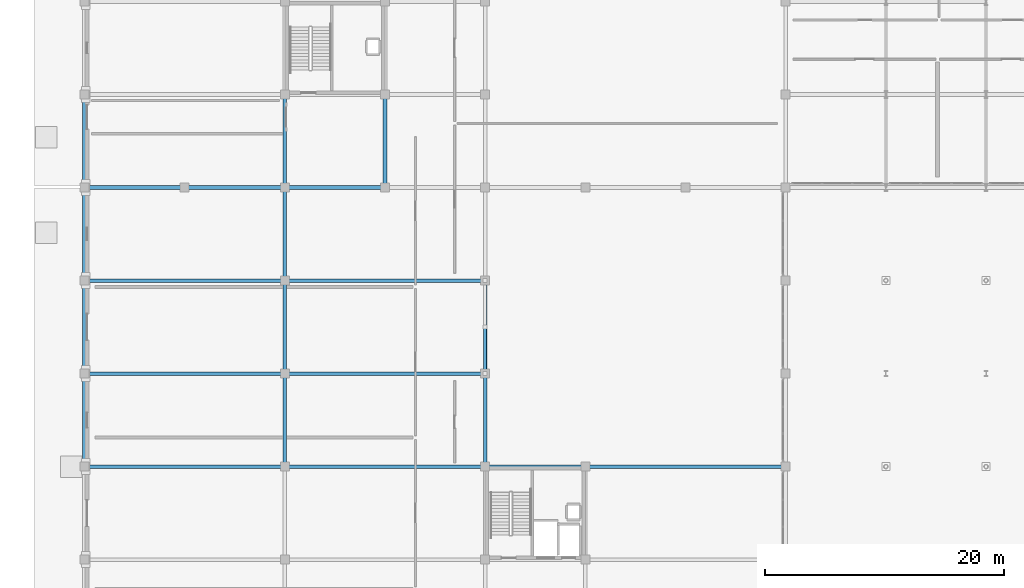
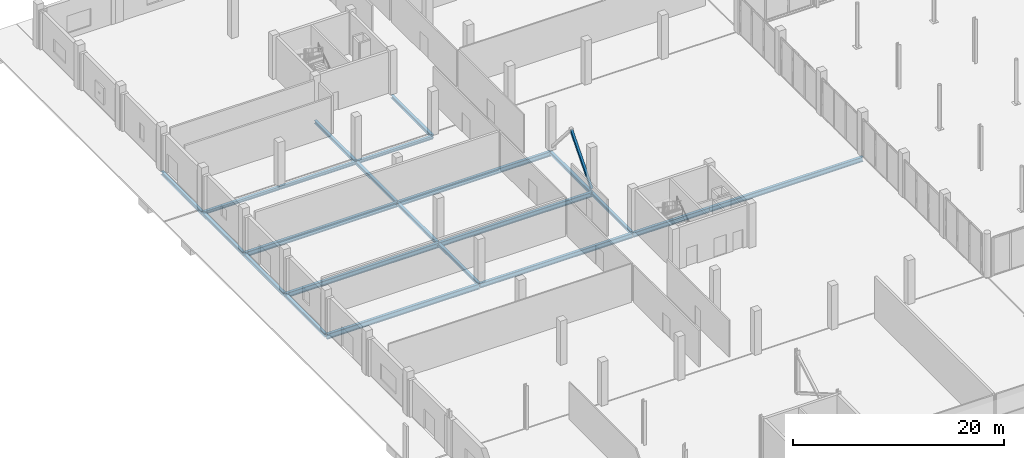
# One storey, part 26 of 80: 22 beams, 1 member.
"""IFC4 building model written with IfcOpenShell, lengths in metres."""

from ifc_helpers import new_model, si_unit, direction, frame, origin, origin_2d, place, context, subcontext, project, spatial, hollow_rectangle, i_section, extrude, material, material_profile, profile_set, type_object, element, save


model = new_model("IFC4")

# Units and contexts
model_context = context("Model", 3, precision=1e-05, world=origin(), true_north=direction((0.0, 1.0)))
body_context = subcontext(model_context, "Body", "Model", "MODEL_VIEW")
ifc_project = project(units=[si_unit("LENGTHUNIT", "METRE"), si_unit("AREAUNIT", "SQUARE_METRE"), si_unit("VOLUMEUNIT", "CUBIC_METRE"), si_unit("PLANEANGLEUNIT", "RADIAN"), si_unit("MASSUNIT", "GRAM", prefix="KILO")], contexts=[model_context])

# Site, building, storey
site_placement = place(None, origin())
site = spatial("IfcSite", under=ifc_project, at=site_placement, CompositionType="ELEMENT")
building_placement = place(site_placement, origin())
building = spatial("IfcBuilding", under=site, at=building_placement, Name="Nabrawat Pavilion Hospital", CompositionType="ELEMENT")
storey_placement = place(building_placement, origin())
storey = spatial("IfcBuildingStorey", under=building, at=storey_placement, Name="L00", CompositionType="ELEMENT", Elevation=0.0)

# Member
ifc_material = material(Name="Steel S355", Category="steel")
ifc_material_profile_1 = material_profile(ifc_material, hollow_rectangle(XDim=0.25, YDim=0.25, WallThickness=0.012451171875, at=origin_2d()), Name="SHS 250x250x12.5")
ifc_profile_set_1 = profile_set([ifc_material_profile_1], Name="Steel S355")
member_type = type_object("IfcMemberType", Name="Lower Seismic Chevron Brace SHS 250x250x12.5", PredefinedType="BRACE", material=ifc_profile_set_1)
member_placement = place(storey_placement, frame((33.60009765625, 70.199951171875, 0.050048828125), z_axis=(0.0, 0.654944585876, 0.755676908098), x_axis=(-1.0, 0.0, 0.0)))
element("IfcMember", 1, at=member_placement, inside=storey, type_object=member_type, Name="L00 Seismic Concentric Chevron Brace 027", PredefinedType="BRACE", context=body_context, shape_type="SweptSolid", body=[
    extrude(hollow_rectangle(XDim=0.25, YDim=0.25, WallThickness=0.012451171875, at=origin_2d()), origin(), (0.0, 0.0, 1.0), 5.954833984375),
])

# Beams
ifc_material_profile_2 = material_profile(ifc_material, i_section(OverallWidth=0.300048828125, OverallDepth=0.389892578125, WebThickness=0.010986328125, FlangeThickness=0.01904296875, FilletRadius=0.027099609375, at=origin_2d()), Name="HEA 400")
ifc_profile_set_2 = profile_set([ifc_material_profile_2], Name="Steel S355")
beam_type_1 = type_object("IfcBeamType", Name="Perimeter Moment Spandrel Beam HEA 400", PredefinedType="SPANDREL", material=ifc_profile_set_2)
for number, where, z_axis, x_axis, name in (
    (2, (0.0, 62.419921875, -0.445068359375), (0.0, 1.0, 0.0), (-1.0, 0.0, 0.0), "L00 Primary Y Beam 244"),
    (3, (0.0, 70.219970703125, -0.445068359375), (0.0, 1.0, 0.0), (-1.0, 0.0, 0.0), "L00 Primary Y Beam 245"),
    (4, (0.0, 78.02001953125, -0.445068359375), (0.0, 1.0, 0.0), (-1.0, 0.0, 0.0), "L00 Primary Y Beam 246"),
    (5, (0.0, 85.820068359375, -0.445068359375), (0.0, 1.0, 0.0), (-1.0, 0.0, 0.0), "L00 Primary Y Beam 247"),
):
    element("IfcBeam", number, at=place(storey_placement, frame(where, z_axis=z_axis, x_axis=x_axis)), inside=storey, type_object=beam_type_1, Name=name, PredefinedType="SPANDREL", context=body_context, shape_type="SweptSolid", body=[
        extrude(i_section(OverallWidth=0.300048828125, OverallDepth=0.389892578125, WebThickness=0.010986328125, FlangeThickness=0.01904296875, FilletRadius=0.027099609375, at=origin_2d()), origin(), (0.0, 0.0, 1.0), 7.760009765625),
    ])
ifc_material_profile_3 = material_profile(ifc_material, i_section(OverallWidth=0.300048828125, OverallDepth=0.550048828125, WebThickness=0.014892578125, FlangeThickness=0.029052734375, FilletRadius=0.027099609375, at=origin_2d()), Name="HEB 550")
ifc_profile_set_3 = profile_set([ifc_material_profile_3], Name="Steel S355")
beam_type_2 = type_object("IfcBeamType", Name="Primary Floor Girder HEB 550", PredefinedType="USERDEFINED", material=ifc_profile_set_3)
beam_1_placement = place(storey_placement, frame((16.820068359375, 62.39990234375, -0.52490234375), z_axis=(1.0, 0.0, 0.0), x_axis=(0.0, 1.0, 0.0)))
element("IfcBeam", 6, at=beam_1_placement, inside=storey, type_object=beam_type_2, Name="L00 Primary X Girder 111", ObjectType="GIRDER", PredefinedType="USERDEFINED", context=body_context, shape_type="SweptSolid", body=[
    extrude(i_section(OverallWidth=0.300048828125, OverallDepth=0.550048828125, WebThickness=0.014892578125, FlangeThickness=0.029052734375, FilletRadius=0.027099609375, at=origin_2d()), origin(), (0.0, 0.0, 1.0), 16.760009765625),
])
beam_2_placement = place(storey_placement, frame((33.6201171875, 62.39990234375, -0.52490234375), z_axis=(1.0, 0.0, 0.0), x_axis=(0.0, 1.0, 0.0)))
element("IfcBeam", 7, at=beam_2_placement, inside=storey, type_object=beam_type_2, Name="L00 Primary X Girder 112", ObjectType="GIRDER", PredefinedType="USERDEFINED", context=body_context, shape_type="SweptSolid", body=[
    extrude(i_section(OverallWidth=0.300048828125, OverallDepth=0.550048828125, WebThickness=0.014892578125, FlangeThickness=0.029052734375, FilletRadius=0.027099609375, at=origin_2d()), origin(), (0.0, 0.0, 1.0), 8.35986328125),
])
for number, where, z_axis, x_axis, name in (
    (8, (42.02001953125, 62.39990234375, -0.52490234375), (1.0, 0.0, 0.0), (0.0, 1.0, 0.0), "L00 Primary X Girder 113"),
    (9, (0.02001953125, 70.199951171875, -0.52490234375), (1.0, 0.0, 0.0), (0.0, 1.0, 0.0), "L00 Primary X Girder 121"),
    (10, (16.820068359375, 70.199951171875, -0.52490234375), (1.0, 0.0, 0.0), (0.0, 1.0, 0.0), "L00 Primary X Girder 122"),
    (11, (0.02001953125, 78.0, -0.52490234375), (1.0, 0.0, 0.0), (0.0, 1.0, 0.0), "L00 Primary X Girder 131"),
    (12, (16.820068359375, 78.0, -0.52490234375), (1.0, 0.0, 0.0), (0.0, 1.0, 0.0), "L00 Primary X Girder 132"),
):
    element("IfcBeam", number, at=place(storey_placement, frame(where, z_axis=z_axis, x_axis=x_axis)), inside=storey, type_object=beam_type_2, Name=name, ObjectType="GIRDER", PredefinedType="USERDEFINED", context=body_context, shape_type="SweptSolid", body=[
        extrude(i_section(OverallWidth=0.300048828125, OverallDepth=0.550048828125, WebThickness=0.014892578125, FlangeThickness=0.029052734375, FilletRadius=0.027099609375, at=origin_2d()), origin(), (0.0, 0.0, 1.0), 16.760009765625),
    ])
ifc_material_profile_4 = material_profile(ifc_material, i_section(OverallWidth=0.300048828125, OverallDepth=0.60009765625, WebThickness=0.015380859375, FlangeThickness=0.030029296875, FilletRadius=0.027099609375, at=origin_2d()), Name="HEB 600")
ifc_profile_set_4 = profile_set([ifc_material_profile_4], Name="Steel S355")
beam_type_3 = type_object("IfcBeamType", Name="Primary Long-Span Girder HEB 600", PredefinedType="USERDEFINED", material=ifc_profile_set_4)
beam_3_placement = place(storey_placement, frame((0.02001953125, 62.39990234375, -0.550048828125), z_axis=(1.0, 0.0, 0.0), x_axis=(0.0, 1.0, 0.0)))
element("IfcBeam", 13, at=beam_3_placement, inside=storey, type_object=beam_type_3, Name="L00 Primary X Girder 110", ObjectType="GIRDER", PredefinedType="USERDEFINED", context=body_context, shape_type="SweptSolid", body=[
    extrude(i_section(OverallWidth=0.300048828125, OverallDepth=0.60009765625, WebThickness=0.015380859375, FlangeThickness=0.030029296875, FilletRadius=0.027099609375, at=origin_2d()), origin(), (0.0, 0.0, 1.0), 16.760009765625),
])
ifc_material_profile_5 = material_profile(ifc_material, i_section(OverallWidth=0.300048828125, OverallDepth=0.360107421875, WebThickness=0.012451171875, FlangeThickness=0.0224609375, FilletRadius=0.027099609375, at=origin_2d()), Name="HEB 360")
ifc_profile_set_5 = profile_set([ifc_material_profile_5], Name="Steel S355")
beam_type_4 = type_object("IfcBeamType", Name="Surgical Perimeter Spandrel HEB 360", PredefinedType="SPANDREL", material=ifc_profile_set_5)
beam_4_placement = place(storey_placement, frame((0.02001953125, 85.800048828125, -0.429931640625), z_axis=(1.0, 0.0, 0.0), x_axis=(0.0, 1.0, 0.0)))
element("IfcBeam", 14, at=beam_4_placement, inside=storey, type_object=beam_type_4, Name="L00 Primary X Girder 141", PredefinedType="SPANDREL", context=body_context, shape_type="SweptSolid", body=[
    extrude(i_section(OverallWidth=0.300048828125, OverallDepth=0.360107421875, WebThickness=0.012451171875, FlangeThickness=0.0224609375, FilletRadius=0.027099609375, at=origin_2d()), origin(), (0.0, 0.0, 1.0), 8.35986328125),
])
beam_5_placement = place(storey_placement, frame((8.419921875, 85.800048828125, -0.429931640625), z_axis=(1.0, 0.0, 0.0), x_axis=(0.0, 1.0, 0.0)))
element("IfcBeam", 15, at=beam_5_placement, inside=storey, type_object=beam_type_4, Name="L00 Primary X Girder 142", PredefinedType="SPANDREL", context=body_context, shape_type="SweptSolid", body=[
    extrude(i_section(OverallWidth=0.300048828125, OverallDepth=0.360107421875, WebThickness=0.012451171875, FlangeThickness=0.0224609375, FilletRadius=0.027099609375, at=origin_2d()), origin(), (0.0, 0.0, 1.0), 8.360107421875),
])
beam_6_placement = place(storey_placement, frame((16.820068359375, 85.800048828125, -0.429931640625), z_axis=(1.0, 0.0, 0.0), x_axis=(0.0, 1.0, 0.0)))
element("IfcBeam", 16, at=beam_6_placement, inside=storey, type_object=beam_type_4, Name="L00 Primary X Girder 143", PredefinedType="SPANDREL", context=body_context, shape_type="SweptSolid", body=[
    extrude(i_section(OverallWidth=0.300048828125, OverallDepth=0.360107421875, WebThickness=0.012451171875, FlangeThickness=0.0224609375, FilletRadius=0.027099609375, at=origin_2d()), origin(), (0.0, 0.0, 1.0), 8.35986328125),
])
ifc_material_profile_6 = material_profile(ifc_material, i_section(OverallWidth=0.300048828125, OverallDepth=0.35009765625, WebThickness=0.009521484375, FlangeThickness=0.017578125, FilletRadius=0.027099609375, at=origin_2d()), Name="HEA 360")
ifc_profile_set_6 = profile_set([ifc_material_profile_6], Name="Steel S355")
beam_type_5 = type_object("IfcBeamType", Name="Surgical Stiffened Beam HEA 360", PredefinedType="BEAM", material=ifc_profile_set_6)
for number, where, z_axis, x_axis, name in (
    (17, (16.800048828125, 62.419921875, -0.425048828125), (0.0, 1.0, 0.0), (-1.0, 0.0, 0.0), "L00 Primary Y Beam 259"),
    (18, (16.800048828125, 70.219970703125, -0.425048828125), (0.0, 1.0, 0.0), (-1.0, 0.0, 0.0), "L00 Primary Y Beam 260"),
    (19, (16.800048828125, 78.02001953125, -0.425048828125), (0.0, 1.0, 0.0), (-1.0, 0.0, 0.0), "L00 Primary Y Beam 261"),
    (20, (16.800048828125, 85.820068359375, -0.425048828125), (0.0, 1.0, 0.0), (-1.0, 0.0, 0.0), "L00 Primary Y Beam 262"),
    (21, (25.199951171875, 85.820068359375, -0.425048828125), (0.0, 1.0, 0.0), (-1.0, 0.0, 0.0), "L00 Primary Y Beam 269"),
    (22, (33.60009765625, 62.419921875, -0.425048828125), (0.0, 1.0, 0.0), (-1.0, 0.0, 0.0), "L00 Primary Y Beam 280"),
    (23, (33.60009765625, 70.219970703125, -0.425048828125), (0.0, 1.0, 0.0), (-1.0, 0.0, 0.0), "L00 Primary Y Beam 281"),
):
    element("IfcBeam", number, at=place(storey_placement, frame(where, z_axis=z_axis, x_axis=x_axis)), inside=storey, type_object=beam_type_5, Name=name, PredefinedType="BEAM", context=body_context, shape_type="SweptSolid", body=[
        extrude(i_section(OverallWidth=0.300048828125, OverallDepth=0.35009765625, WebThickness=0.009521484375, FlangeThickness=0.017578125, FilletRadius=0.027099609375, at=origin_2d()), origin(), (0.0, 0.0, 1.0), 7.760009765625),
    ])

save(model, "model.ifc")
